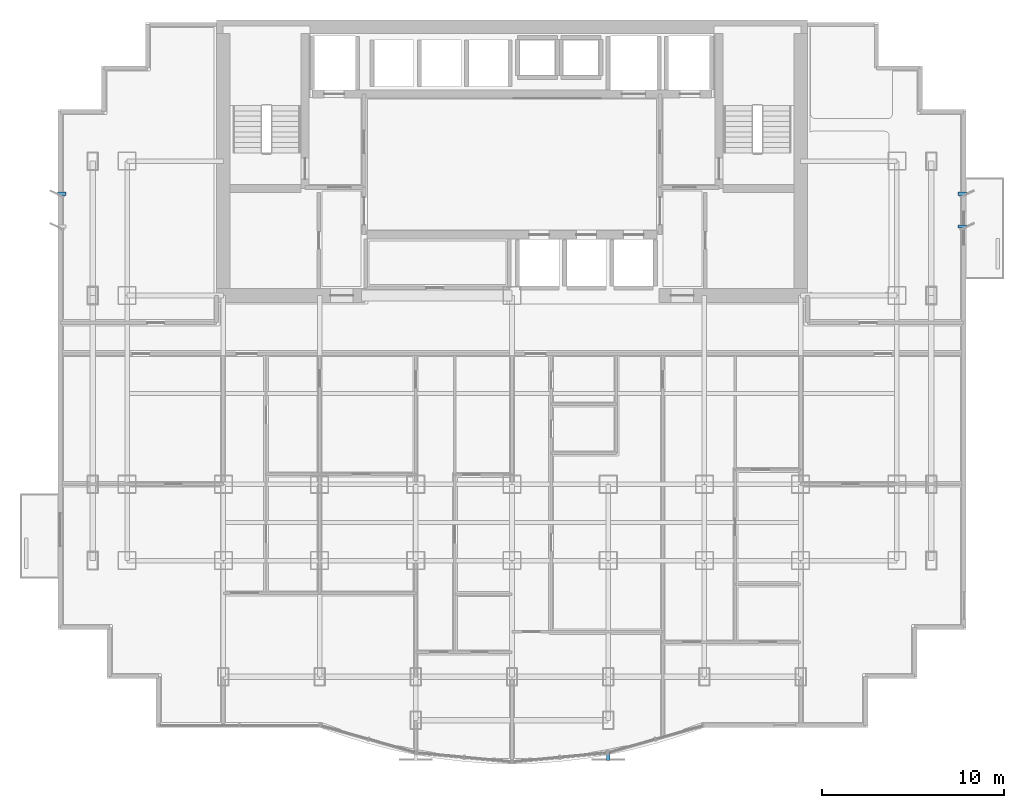
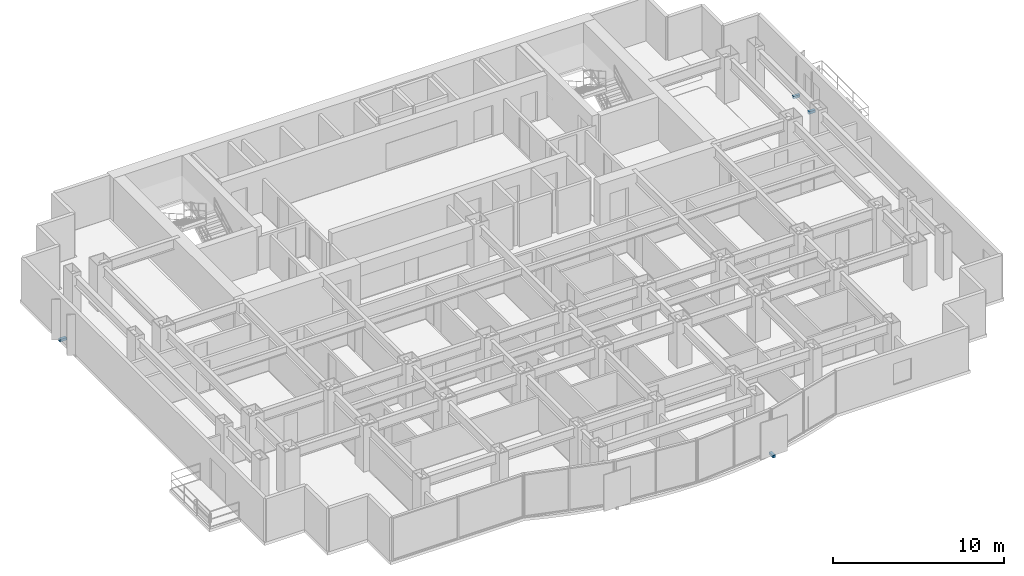
# One storey, part 8 of 10: 4 discrete accessories.
"""IFC4 building model written with IfcOpenShell, lengths in metres."""

from ifc_helpers import new_model, si_unit, direction, frame, origin, origin_2d, place, context, subcontext, project, spatial, rectangle, extrude, source, transform, mapped, material, type_object, element, save


model = new_model("IFC4")

# Units and contexts
model_context = context("Model", 3, precision=1e-05, world=origin(), true_north=direction((0.0, 1.0)))
body_context = subcontext(model_context, "Body", "Model", "MODEL_VIEW")
ifc_project = project(units=[si_unit("LENGTHUNIT", "METRE"), si_unit("AREAUNIT", "SQUARE_METRE"), si_unit("VOLUMEUNIT", "CUBIC_METRE"), si_unit("PLANEANGLEUNIT", "RADIAN"), si_unit("MASSUNIT", "GRAM", prefix="KILO")], contexts=[model_context])

# Site, building, storey
site_placement = place(None, origin())
site = spatial("IfcSite", under=ifc_project, at=site_placement, CompositionType="ELEMENT")
building_placement = place(site_placement, origin())
building = spatial("IfcBuilding", under=site, at=building_placement, Name="Qianlan Lanfeng Residences", CompositionType="ELEMENT")
storey_placement = place(building_placement, frame((0.0, 0.0, 94.89990234375)))
storey = spatial("IfcBuildingStorey", under=building, at=storey_placement, Name="L25", CompositionType="ELEMENT", Elevation=94.89990234375)

# Discrete accessories
ifc_material = material(Name="Stainless Steel Facade Bracket", Category="steel")
discrete_accessory_type = type_object("IfcDiscreteAccessoryType", Name="BRK-SS-350", PredefinedType="BRACKET", material=ifc_material)
shared_shape_1 = source(origin(), body_context, "Body", "SweptSolid", [
    extrude(rectangle(XDim=0.179931640625, YDim=0.449951171875, at=origin_2d()), origin(), (0.0, 0.0, 1.0), 0.179931640625),
])
discrete_accessory_placement = place(storey_placement, frame((31.800048828125, -0.199951171875, -0.14990234375), z_axis=(0.0, 0.0, 1.0), x_axis=(1.0, 0.0, 0.0)))
element("IfcDiscreteAccessory", 1, at=discrete_accessory_placement, inside=storey, type_object=discrete_accessory_type, Name="L25 Solar Screen Support Bracket 2", PredefinedType="BRACKET", context=body_context, shape_type="MappedRepresentation", body=[
    mapped(shared_shape_1, transform((0.0, 0.0, 0.0), scale=1.0)),
])
shared_shape_2 = source(origin(), body_context, "Body", "SweptSolid", [
    extrude(rectangle(XDim=0.449951171875, YDim=0.179931640625, at=origin_2d()), origin(), (0.0, 0.0, 1.0), 0.179931640625),
])
for number, where, z_axis, x_axis, name in (
    (2, (1.699951171875, 30.800048828125, -0.14990234375), (0.0, 0.0, 1.0), (1.0, 0.0, 0.0), "L25 Raked Solar Fin Support Bracket W2"),
    (3, (51.300048828125, 29.0, -0.14990234375), (0.0, 0.0, 1.0), (1.0, 0.0, 0.0), "L25 Raked Solar Fin Support Bracket E1"),
    (4, (51.300048828125, 30.800048828125, -0.14990234375), (0.0, 0.0, 1.0), (1.0, 0.0, 0.0), "L25 Raked Solar Fin Support Bracket E2"),
):
    element("IfcDiscreteAccessory", number, at=place(storey_placement, frame(where, z_axis=z_axis, x_axis=x_axis)), inside=storey, type_object=discrete_accessory_type, Name=name, PredefinedType="BRACKET", context=body_context, shape_type="MappedRepresentation", body=[
        mapped(shared_shape_2, transform((0.0, 0.0, 0.0), scale=1.0)),
    ])

save(model, "model.ifc")
